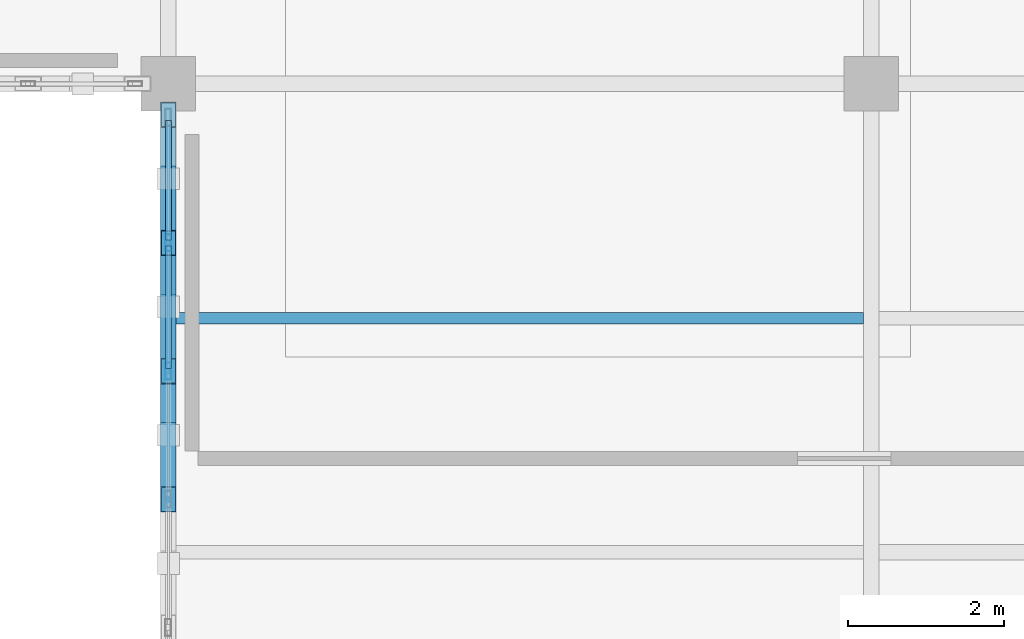
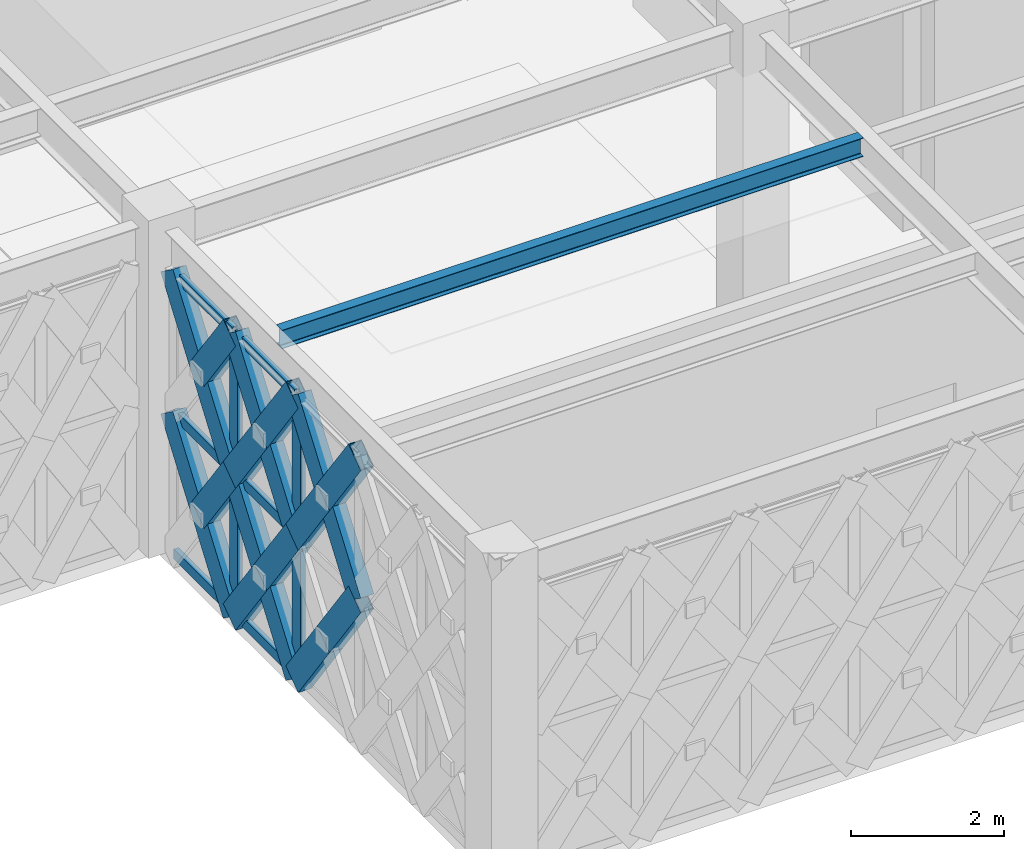
# One storey, part 3 of 72: 23 members, 1 beam, 1 element without a shape of its own.
"""IFC4 building model written with IfcOpenShell, lengths in metres."""

import ifcopenshell
import ifcopenshell.guid

model = None  # the IFC model being written
_history = None  # IfcOwnerHistory: only IFC2X3 demands one
_inside = {}  # id of a spatial element -> (the spatial element, [elements in it])
_under = {}  # id of a project, library or spatial element -> (it, [spatial elements below it])
_declared = {}  # id of a project -> (the project, [libraries it declares])
_typed = {}  # id of a type object -> (the type object, [elements of that type])
_made_of = {}  # id of a material, layer set ... -> (it, [elements and type objects made of it])


def new_model(schema):
    """Start an empty IFC model of exactly this schema.

    Asked for "IFC4X3", IfcOpenShell would pick the latest addendum, in which some entities
    have other attributes; the version numbers below select the first issue.
    IFC2X3 requires an IfcOwnerHistory on every rooted entity: one is made here for all.
    """
    global model, _history
    if schema == "IFC4X3":
        model = ifcopenshell.file(schema_version=(4, 3, 0, 0))
    else:
        model = ifcopenshell.file(schema=schema)
    _inside.clear()
    _under.clear()
    _declared.clear()
    _typed.clear()
    _made_of.clear()
    _history = None
    if model.schema == "IFC2X3":
        org = make("IfcOrganization", Name="unknown")
        user = make(
            "IfcPersonAndOrganization",
            ThePerson=make("IfcPerson", FamilyName="unknown"),
            TheOrganization=org,
        )
        app = make(
            "IfcApplication",
            ApplicationDeveloper=org,
            Version="unknown",
            ApplicationFullName="unknown",
            ApplicationIdentifier="unknown",
        )
        _history = make(
            "IfcOwnerHistory",
            OwningUser=user,
            OwningApplication=app,
            ChangeAction="ADDED",
            CreationDate=0,
        )
    return model


def make(cls, **values):
    """One entity of the class cls with the attributes given. An attribute that is None is left unset."""
    return model.create_entity(
        cls, **{name: value for name, value in values.items() if value is not None}
    )


def rooted(cls, **values):
    """An entity with a GlobalId (a new one), such as an element, a storey or a relation."""
    return make(cls, GlobalId=ifcopenshell.guid.new(), OwnerHistory=_history, **values)


def si_unit(unit_type, name, prefix=None):
    """IfcSIUnit, for example si_unit("LENGTHUNIT", "METRE", prefix="MILLI")."""
    return make("IfcSIUnit", UnitType=unit_type, Prefix=prefix, Name=name)


def assignment(units):
    """IfcUnitAssignment: the units of a project."""
    return None if units is None else make("IfcUnitAssignment", Units=units)


def point(xyz):
    """IfcCartesianPoint."""
    return None if xyz is None else make("IfcCartesianPoint", Coordinates=xyz)


def direction(xyz):
    """IfcDirection."""
    return None if xyz is None else make("IfcDirection", DirectionRatios=xyz)


def frame(location, z_axis=None, x_axis=None):
    """IfcAxis2Placement3D, a coordinate frame: its origin and axes. An axis left out is left unset."""
    return make(
        "IfcAxis2Placement3D",
        Location=point(location),
        Axis=direction(z_axis),
        RefDirection=direction(x_axis),
    )


def frame_2d(location, x_axis=None):
    """IfcAxis2Placement2D, a coordinate frame in the plane: its origin and x axis."""
    return make(
        "IfcAxis2Placement2D", Location=point(location), RefDirection=direction(x_axis)
    )


def origin():
    """The frame at (0, 0, 0) with its axes left unset."""
    return frame((0.0, 0.0, 0.0))


def origin_2d():
    """The frame at (0, 0) in the plane with its x axis left unset."""
    return frame_2d((0.0, 0.0))


def place(relative_to, where):
    """IfcLocalPlacement: puts the frame where relative to a parent placement (None: the world)."""
    return make(
        "IfcLocalPlacement", PlacementRelTo=relative_to, RelativePlacement=where
    )


def context(
    kind, dimensions, precision=None, world=None, true_north=None, identifier=None
):
    """IfcGeometricRepresentationContext, for example the 3D "Model" context."""
    return make(
        "IfcGeometricRepresentationContext",
        ContextIdentifier=identifier,
        ContextType=kind,
        CoordinateSpaceDimension=dimensions,
        Precision=precision,
        WorldCoordinateSystem=world,
        TrueNorth=true_north,
    )


def subcontext(parent, identifier, kind, view, scale=None):
    """IfcGeometricRepresentationSubContext, for example "Body" below "Model"."""
    return make(
        "IfcGeometricRepresentationSubContext",
        ContextIdentifier=identifier,
        ContextType=kind,
        ParentContext=parent,
        TargetScale=scale,
        TargetView=view,
    )


def project(units=None, contexts=None):
    """IfcProject with its units and contexts."""
    return rooted(
        "IfcProject",
        Name="project",
        RepresentationContexts=contexts,
        UnitsInContext=assignment(units),
    )


def spatial(cls, under=None, at=None, **own):
    """A site, building, storey or space (cls), placed at a placement, below another one or the project."""
    s = rooted(cls, ObjectPlacement=at, **own)
    if under is not None:
        _under.setdefault(under.id(), (under, []))[1].append(s)
    return s


def profile(cls, at=None, kind="AREA", **sizes):
    """A parametric profile (cls). Its sizes go by their IFC names, for example OverallWidth=200.0."""
    return make(cls, ProfileType=kind, Position=at, **sizes)


def hollow_rectangle(**sizes):
    """IfcRectangleHollowProfileDef."""
    return profile("IfcRectangleHollowProfileDef", **sizes)


def i_section(**sizes):
    """IfcIShapeProfileDef."""
    return profile("IfcIShapeProfileDef", **sizes)


def extrude(swept, where, along, depth):
    """IfcExtrudedAreaSolid: the profile swept, set in the frame where, extruded along a direction by depth."""
    return make(
        "IfcExtrudedAreaSolid",
        SweptArea=swept,
        Position=where,
        ExtrudedDirection=direction(along),
        Depth=depth,
    )


def shape(context_of_items, identifier, shape_type, items):
    """IfcShapeRepresentation: the items that make up one representation, for example the "Body"."""
    return make(
        "IfcShapeRepresentation",
        ContextOfItems=context_of_items,
        RepresentationIdentifier=identifier,
        RepresentationType=shape_type,
        Items=items,
    )


def material(Name=None, Category=None):
    """IfcMaterial."""
    return make("IfcMaterial", Name=Name, Category=Category)


def material_profile(
    of_material, cross_section, Name=None, Category=None, Priority=None
):
    """IfcMaterialProfile: a cross section and its material."""
    return make(
        "IfcMaterialProfile",
        Name=Name,
        Material=of_material,
        Profile=cross_section,
        Priority=Priority,
        Category=Category,
    )


def profile_set(profiles, Name=None, composite=None):
    """IfcMaterialProfileSet."""
    return make(
        "IfcMaterialProfileSet",
        Name=Name,
        MaterialProfiles=profiles,
        CompositeProfile=composite,
    )


def made_of(thing, what):
    """Note that an element or type object is made of a material, layer set ...; save() writes the relation."""
    if what is not None:
        _made_of.setdefault(what.id(), (what, []))[1].append(thing)
    return thing


def type_object(cls, material=None, **own):
    """A type object (cls), such as IfcWallType, which elements share."""
    return made_of(rooted(cls, **own), material)


def element(
    cls,
    number,
    at=None,
    inside=None,
    cuts=None,
    type_object=None,
    material=None,
    context=None,
    identifier="Body",
    shape_type=None,
    held_by="IfcProductDefinitionShape",
    body=None,
    shapes=None,
    **own,
):
    """One element of the class cls, such as IfcWall. Its Tag is "e" and its number.

    at: its placement. inside: the storey or other place that contains it. cuts: it is an
    opening in that element (IfcRelVoidsElement). A single representation is given by context,
    identifier, shape_type and body (its items); several are given by shapes. held_by: the class
    of the entity that holds the representations. save() writes the other relations.
    """
    e = rooted(cls, Tag="e%d" % number, ObjectPlacement=at, **own)
    if body is not None:
        shapes = [shape(context, identifier, shape_type, body)]
    if shapes is not None:
        e.Representation = make(held_by, Representations=shapes)
    if inside is not None:
        _inside.setdefault(inside.id(), (inside, []))[1].append(e)
    if cuts is not None:
        rooted(
            "IfcRelVoidsElement", RelatingBuildingElement=cuts, RelatedOpeningElement=e
        )
    if type_object is not None:
        _typed.setdefault(type_object.id(), (type_object, []))[1].append(e)
    return made_of(e, material)


def aggregate(whole, parts):
    """IfcRelAggregates: a whole, such as a stair, and the parts it consists of."""
    return rooted("IfcRelAggregates", RelatingObject=whole, RelatedObjects=parts)


def save(model, path):
    """Write the relations noted so far, then the file.

    IfcRelAggregates (storeys below a building ...), IfcRelContainedInSpatialStructure (elements
    in a storey), IfcRelDefinesByType, IfcRelAssociatesMaterial and IfcRelDeclares: one each for
    every whole, place, type object, material and project.
    """
    for whole, parts in _under.values():
        aggregate(whole, parts)
    for where, things in _inside.values():
        rooted(
            "IfcRelContainedInSpatialStructure",
            RelatedElements=things,
            RelatingStructure=where,
        )
    for kind, things in _typed.values():
        rooted("IfcRelDefinesByType", RelatedObjects=things, RelatingType=kind)
    for what, things in _made_of.values():
        rooted("IfcRelAssociatesMaterial", RelatedObjects=things, RelatingMaterial=what)
    for by, libraries in _declared.values():
        rooted("IfcRelDeclares", RelatingContext=by, RelatedDefinitions=libraries)
    model.write(path)


model = new_model("IFC4")

# Units and contexts
model_context = context("Model", 3, precision=1e-05, world=origin(), true_north=direction((0.0, 1.0)))
body_context = subcontext(model_context, "Body", "Model", "MODEL_VIEW")
ifc_project = project(units=[si_unit("LENGTHUNIT", "METRE"), si_unit("AREAUNIT", "SQUARE_METRE"), si_unit("VOLUMEUNIT", "CUBIC_METRE"), si_unit("PLANEANGLEUNIT", "RADIAN"), si_unit("MASSUNIT", "GRAM", prefix="KILO")], contexts=[model_context])

# Site, building, storey
site_placement = place(None, origin())
site = spatial("IfcSite", under=ifc_project, at=site_placement, CompositionType="ELEMENT")
building_placement = place(site_placement, origin())
building = spatial("IfcBuilding", under=site, at=building_placement, Name="Haizhuo Lancet Aquarium", CompositionType="ELEMENT")
storey_placement = place(building_placement, frame((0.0, 0.0, 21.60009765625)))
storey = spatial("IfcBuildingStorey", under=building, at=storey_placement, Name="L04", CompositionType="ELEMENT", Elevation=21.60009765625)

# Curtain wall, members
ifc_material_1 = material(Name="Aluminium 6063-T6", Category="aluminium")
curtain_wall_type = type_object("IfcCurtainWallType", Name="CWD-8210x4550", PredefinedType="NOTDEFINED", material=ifc_material_1)
curtain_wall_placement = place(storey_placement, origin())
curtain_wall = element("IfcCurtainWall", 1, at=curtain_wall_placement, inside=storey, type_object=curtain_wall_type, Name="L04 curtain wall CW-V6-L04-257", PredefinedType="NOTDEFINED")
ifc_material_profile_1 = material_profile(ifc_material_1, hollow_rectangle(XDim=0.074951171875, YDim=0.219970703125, WallThickness=0.0048828125, at=origin_2d()), Name="ALU-M 75x220x5")
ifc_profile_set_1 = profile_set([ifc_material_profile_1], Name="Aluminium 6063-T6")
member_type_1 = type_object("IfcMemberType", Name="CW-MUL-2", PredefinedType="MULLION", material=ifc_profile_set_1)
member_1_placement = place(storey_placement, frame((-72.0, -21.678955078125, 0.0), z_axis=(0.0, 0.0, 1.0), x_axis=(-1.0, 0.0, 0.0)))
member_1 = element("IfcMember", 2, at=member_1_placement, type_object=member_type_1, Name="CWD-82x45 mullion 4", PredefinedType="MULLION", context=body_context, shape_type="SweptSolid", body=[
    extrude(hollow_rectangle(XDim=0.074951171875, YDim=0.219970703125, WallThickness=0.0048828125, at=origin_2d()), origin(), (0.0, 0.0, 1.0), 4.5498046875),
])
member_2_placement = place(storey_placement, frame((-72.0, -20.037109375, 0.0), z_axis=(0.0, 0.0, 1.0), x_axis=(-1.0, 0.0, 0.0)))
member_2 = element("IfcMember", 3, at=member_2_placement, type_object=member_type_1, Name="CWD-82x45 mullion 5", PredefinedType="MULLION", context=body_context, shape_type="SweptSolid", body=[
    extrude(hollow_rectangle(XDim=0.074951171875, YDim=0.219970703125, WallThickness=0.0048828125, at=origin_2d()), origin(), (0.0, 0.0, 1.0), 4.5498046875),
])
ifc_material_profile_2 = material_profile(ifc_material_1, hollow_rectangle(XDim=0.074951171875, YDim=0.159912109375, WallThickness=0.00390625, at=origin_2d()), Name="ALU-T 75x160x4")
ifc_profile_set_2 = profile_set([ifc_material_profile_2], Name="Aluminium 6063-T6")
member_type_2 = type_object("IfcMemberType", Name="CW-TRN-2", PredefinedType="NOTDEFINED", material=ifc_profile_set_2)
member_3_placement = place(storey_placement, frame((-72.0, -21.64208984375, 0.037841796875), z_axis=(0.0, 1.0, 0.0), x_axis=(-1.0, 0.0, 0.0)))
member_3 = element("IfcMember", 4, at=member_3_placement, type_object=member_type_2, Name="CWD-82x45 transom 4.1", ObjectType="TRANSOM", PredefinedType="USERDEFINED", context=body_context, shape_type="SweptSolid", body=[
    extrude(hollow_rectangle(XDim=0.074951171875, YDim=0.159912109375, WallThickness=0.00390625, at=origin_2d()), origin(), (0.0, 0.0, 1.0), 1.567138671875),
])
member_4_placement = place(storey_placement, frame((-72.0, -21.64208984375, 2.27490234375), z_axis=(0.0, 1.0, 0.0), x_axis=(-1.0, 0.0, 0.0)))
member_4 = element("IfcMember", 5, at=member_4_placement, type_object=member_type_2, Name="CWD-82x45 transom 4.2", ObjectType="TRANSOM", PredefinedType="USERDEFINED", context=body_context, shape_type="SweptSolid", body=[
    extrude(hollow_rectangle(XDim=0.074951171875, YDim=0.159912109375, WallThickness=0.00390625, at=origin_2d()), origin(), (0.0, 0.0, 1.0), 1.567138671875),
])
member_5_placement = place(storey_placement, frame((-72.0, -21.64208984375, 4.511962890625), z_axis=(0.0, 1.0, 0.0), x_axis=(-1.0, 0.0, 0.0)))
member_5 = element("IfcMember", 6, at=member_5_placement, type_object=member_type_2, Name="CWD-82x45 transom 4.3", ObjectType="TRANSOM", PredefinedType="USERDEFINED", context=body_context, shape_type="SweptSolid", body=[
    extrude(hollow_rectangle(XDim=0.074951171875, YDim=0.159912109375, WallThickness=0.00390625, at=origin_2d()), origin(), (0.0, 0.0, 1.0), 1.567138671875),
])
member_6_placement = place(storey_placement, frame((-72.0, -20.0, 0.037841796875), z_axis=(0.0, 1.0, 0.0), x_axis=(-1.0, 0.0, 0.0)))
member_6 = element("IfcMember", 7, at=member_6_placement, type_object=member_type_2, Name="CWD-82x45 transom 5.1", ObjectType="TRANSOM", PredefinedType="USERDEFINED", context=body_context, shape_type="SweptSolid", body=[
    extrude(hollow_rectangle(XDim=0.074951171875, YDim=0.159912109375, WallThickness=0.00390625, at=origin_2d()), origin(), (0.0, 0.0, 1.0), 1.530029296875),
])
member_7_placement = place(storey_placement, frame((-72.0, -20.0, 2.27490234375), z_axis=(0.0, 1.0, 0.0), x_axis=(-1.0, 0.0, 0.0)))
member_7 = element("IfcMember", 8, at=member_7_placement, type_object=member_type_2, Name="CWD-82x45 transom 5.2", ObjectType="TRANSOM", PredefinedType="USERDEFINED", context=body_context, shape_type="SweptSolid", body=[
    extrude(hollow_rectangle(XDim=0.074951171875, YDim=0.159912109375, WallThickness=0.00390625, at=origin_2d()), origin(), (0.0, 0.0, 1.0), 1.530029296875),
])
member_8_placement = place(storey_placement, frame((-72.0, -20.0, 4.511962890625), z_axis=(0.0, 1.0, 0.0), x_axis=(-1.0, 0.0, 0.0)))
member_8 = element("IfcMember", 9, at=member_8_placement, type_object=member_type_2, Name="CWD-82x45 transom 5.3", ObjectType="TRANSOM", PredefinedType="USERDEFINED", context=body_context, shape_type="SweptSolid", body=[
    extrude(hollow_rectangle(XDim=0.074951171875, YDim=0.159912109375, WallThickness=0.00390625, at=origin_2d()), origin(), (0.0, 0.0, 1.0), 1.530029296875),
])
aggregate(curtain_wall, [member_1, member_2, member_3, member_4, member_5, member_6, member_7, member_8])

# Beam
ifc_material_2 = material(Name="Steel S355", Category="steel")
ifc_material_profile_3 = material_profile(ifc_material_2, i_section(OverallWidth=0.14990234375, OverallDepth=0.300048828125, WebThickness=0.006591796875, FlangeThickness=0.009033203125, FilletRadius=0.012939453125, at=origin_2d()), Name="HN 300x150x6.5x9")
ifc_profile_set_3 = profile_set([ifc_material_profile_3], Name="Steel S355")
beam_type = type_object("IfcBeamType", Name="JST-ST-HN300", PredefinedType="JOIST", material=ifc_profile_set_3)
beam_placement = place(storey_placement, frame((-71.89990234375, -21.0, 5.0), z_axis=(1.0, 0.0, 0.0), x_axis=(0.0, 1.0, 0.0)))
element("IfcBeam", 10, at=beam_placement, inside=storey, type_object=beam_type, Name="L04 V6 secondary floor joist 4", PredefinedType="JOIST", context=body_context, shape_type="SweptSolid", body=[
    extrude(i_section(OverallWidth=0.14990234375, OverallDepth=0.300048828125, WebThickness=0.006591796875, FlangeThickness=0.009033203125, FilletRadius=0.012939453125, at=origin_2d()), origin(), (0.0, 0.0, 1.0), 8.7998046875),
])

# Members
ifc_material_profile_4 = material_profile(ifc_material_2, hollow_rectangle(XDim=0.199951171875, YDim=0.39990234375, WallThickness=0.011962890625, at=origin_2d()), Name="RHS 200x400x12")
ifc_profile_set_4 = profile_set([ifc_material_profile_4], Name="Steel S355")
member_type_3 = type_object("IfcMemberType", Name="MEM-LB-RHS200x400", PredefinedType="BRACE", material=ifc_profile_set_4)
member_9_placement = place(storey_placement, frame((-72.0, -21.678955078125, 0.0), z_axis=(0.0, -0.585115697402, 0.810949826224), x_axis=(1.0, 0.0, 0.0)))
element("IfcMember", 11, at=member_9_placement, inside=storey, type_object=member_type_3, Name="Gothic lancet split diagonal brace CW-V6-L04-257 5B1", PredefinedType="BRACE", context=body_context, shape_type="SweptSolid", body=[
    extrude(hollow_rectangle(XDim=0.199951171875, YDim=0.39990234375, WallThickness=0.011962890625, at=origin_2d()), origin(), (0.0, 0.0, 1.0), 1.4033203125),
])
member_10_placement = place(storey_placement, frame((-72.0, -22.5, 1.137939453125), z_axis=(0.0, -0.585446060787, 0.810711360417), x_axis=(1.0, 0.0, 0.0)))
element("IfcMember", 12, at=member_10_placement, inside=storey, type_object=member_type_3, Name="Gothic lancet split diagonal brace CW-V6-L04-257 5B2", PredefinedType="BRACE", context=body_context, shape_type="SweptSolid", body=[
    extrude(hollow_rectangle(XDim=0.199951171875, YDim=0.39990234375, WallThickness=0.011962890625, at=origin_2d()), origin(), (0.0, 0.0, 1.0), 1.40234375),
])
member_11_placement = place(storey_placement, frame((-72.0, -23.321044921875, 2.27490234375), z_axis=(0.0, 0.585280844621, 0.810830643797), x_axis=(-1.0, 0.0, 0.0)))
element("IfcMember", 13, at=member_11_placement, inside=storey, type_object=member_type_3, Name="Gothic lancet continuous diagonal brace CW-V6-L04-257 6A", PredefinedType="BRACE", context=body_context, shape_type="SweptSolid", body=[
    extrude(hollow_rectangle(XDim=0.199951171875, YDim=0.39990234375, WallThickness=0.011962890625, at=origin_2d()), origin(), (0.0, 0.0, 1.0), 2.8056640625),
])
member_12_placement = place(storey_placement, frame((-72.0, -21.678955078125, 2.27490234375), z_axis=(0.0, -0.585446060787, 0.810711360417), x_axis=(1.0, 0.0, 0.0)))
element("IfcMember", 14, at=member_12_placement, inside=storey, type_object=member_type_3, Name="Gothic lancet split diagonal brace CW-V6-L04-257 6B1", PredefinedType="BRACE", context=body_context, shape_type="SweptSolid", body=[
    extrude(hollow_rectangle(XDim=0.199951171875, YDim=0.39990234375, WallThickness=0.011962890625, at=origin_2d()), origin(), (0.0, 0.0, 1.0), 1.40234375),
])
member_13_placement = place(storey_placement, frame((-72.0, -22.5, 3.411865234375), z_axis=(0.0, -0.585115697402, 0.810949826224), x_axis=(1.0, 0.0, 0.0)))
element("IfcMember", 15, at=member_13_placement, inside=storey, type_object=member_type_3, Name="Gothic lancet split diagonal brace CW-V6-L04-257 6B2", PredefinedType="BRACE", context=body_context, shape_type="SweptSolid", body=[
    extrude(hollow_rectangle(XDim=0.199951171875, YDim=0.39990234375, WallThickness=0.011962890625, at=origin_2d()), origin(), (0.0, 0.0, 1.0), 1.4033203125),
])
member_14_placement = place(storey_placement, frame((-72.0, -21.678955078125, 0.0), z_axis=(0.0, 0.585223630803, 0.810871939304), x_axis=(-1.0, 0.0, 0.0)))
element("IfcMember", 16, at=member_14_placement, inside=storey, type_object=member_type_3, Name="Gothic lancet continuous diagonal brace CW-V6-L04-257 7A", PredefinedType="BRACE", context=body_context, shape_type="SweptSolid", body=[
    extrude(hollow_rectangle(XDim=0.199951171875, YDim=0.39990234375, WallThickness=0.011962890625, at=origin_2d()), origin(), (0.0, 0.0, 1.0), 2.805419921875),
])
member_15_placement = place(storey_placement, frame((-72.0, -20.037109375, 0.0), z_axis=(0.0, -0.585001259689, 0.81103238293), x_axis=(1.0, 0.0, 0.0)))
element("IfcMember", 17, at=member_15_placement, inside=storey, type_object=member_type_3, Name="Gothic lancet split diagonal brace CW-V6-L04-257 7B1", PredefinedType="BRACE", context=body_context, shape_type="SweptSolid", body=[
    extrude(hollow_rectangle(XDim=0.199951171875, YDim=0.39990234375, WallThickness=0.011962890625, at=origin_2d()), origin(), (0.0, 0.0, 1.0), 1.403076171875),
])
member_16_placement = place(storey_placement, frame((-72.0, -20.85791015625, 1.137939453125), z_axis=(0.0, -0.585446060787, 0.810711360417), x_axis=(1.0, 0.0, 0.0)))
element("IfcMember", 18, at=member_16_placement, inside=storey, type_object=member_type_3, Name="Gothic lancet split diagonal brace CW-V6-L04-257 7B2", PredefinedType="BRACE", context=body_context, shape_type="SweptSolid", body=[
    extrude(hollow_rectangle(XDim=0.199951171875, YDim=0.39990234375, WallThickness=0.011962890625, at=origin_2d()), origin(), (0.0, 0.0, 1.0), 1.40234375),
])
member_17_placement = place(storey_placement, frame((-72.0, -21.678955078125, 2.27490234375), z_axis=(0.0, 0.585223630803, 0.810871939304), x_axis=(-1.0, 0.0, 0.0)))
element("IfcMember", 19, at=member_17_placement, inside=storey, type_object=member_type_3, Name="Gothic lancet continuous diagonal brace CW-V6-L04-257 8A", PredefinedType="BRACE", context=body_context, shape_type="SweptSolid", body=[
    extrude(hollow_rectangle(XDim=0.199951171875, YDim=0.39990234375, WallThickness=0.011962890625, at=origin_2d()), origin(), (0.0, 0.0, 1.0), 2.805419921875),
])
member_18_placement = place(storey_placement, frame((-72.0, -20.037109375, 2.27490234375), z_axis=(0.0, -0.585331625772, 0.810793986085), x_axis=(1.0, 0.0, 0.0)))
element("IfcMember", 20, at=member_18_placement, inside=storey, type_object=member_type_3, Name="Gothic lancet split diagonal brace CW-V6-L04-257 8B1", PredefinedType="BRACE", context=body_context, shape_type="SweptSolid", body=[
    extrude(hollow_rectangle(XDim=0.199951171875, YDim=0.39990234375, WallThickness=0.011962890625, at=origin_2d()), origin(), (0.0, 0.0, 1.0), 1.40234375),
])
member_19_placement = place(storey_placement, frame((-72.0, -20.85791015625, 3.411865234375), z_axis=(0.0, -0.585115697402, 0.810949826224), x_axis=(1.0, 0.0, 0.0)))
element("IfcMember", 21, at=member_19_placement, inside=storey, type_object=member_type_3, Name="Gothic lancet split diagonal brace CW-V6-L04-257 8B2", PredefinedType="BRACE", context=body_context, shape_type="SweptSolid", body=[
    extrude(hollow_rectangle(XDim=0.199951171875, YDim=0.39990234375, WallThickness=0.011962890625, at=origin_2d()), origin(), (0.0, 0.0, 1.0), 1.4033203125),
])
member_20_placement = place(storey_placement, frame((-72.0, -20.037109375, 0.0), z_axis=(0.0, 0.585280844621, 0.810830643797), x_axis=(-1.0, 0.0, 0.0)))
element("IfcMember", 22, at=member_20_placement, inside=storey, type_object=member_type_3, Name="Gothic lancet continuous diagonal brace CW-V6-L04-257 9A", PredefinedType="BRACE", context=body_context, shape_type="SweptSolid", body=[
    extrude(hollow_rectangle(XDim=0.199951171875, YDim=0.39990234375, WallThickness=0.011962890625, at=origin_2d()), origin(), (0.0, 0.0, 1.0), 2.8056640625),
])
member_21_placement = place(storey_placement, frame((-72.0, -19.216064453125, 1.137939453125), z_axis=(0.0, -0.585446060787, 0.810711360417), x_axis=(1.0, 0.0, 0.0)))
element("IfcMember", 23, at=member_21_placement, inside=storey, type_object=member_type_3, Name="Gothic lancet split diagonal brace CW-V6-L04-257 9B2", PredefinedType="BRACE", context=body_context, shape_type="SweptSolid", body=[
    extrude(hollow_rectangle(XDim=0.199951171875, YDim=0.39990234375, WallThickness=0.011962890625, at=origin_2d()), origin(), (0.0, 0.0, 1.0), 1.40234375),
])
member_22_placement = place(storey_placement, frame((-72.0, -20.037109375, 2.27490234375), z_axis=(0.0, 0.585280844621, 0.810830643797), x_axis=(-1.0, 0.0, 0.0)))
element("IfcMember", 24, at=member_22_placement, inside=storey, type_object=member_type_3, Name="Gothic lancet continuous diagonal brace CW-V6-L04-257 10A", PredefinedType="BRACE", context=body_context, shape_type="SweptSolid", body=[
    extrude(hollow_rectangle(XDim=0.199951171875, YDim=0.39990234375, WallThickness=0.011962890625, at=origin_2d()), origin(), (0.0, 0.0, 1.0), 2.8056640625),
])
member_23_placement = place(storey_placement, frame((-72.0, -19.216064453125, 3.411865234375), z_axis=(0.0, -0.585115697402, 0.810949826224), x_axis=(1.0, 0.0, 0.0)))
element("IfcMember", 25, at=member_23_placement, inside=storey, type_object=member_type_3, Name="Gothic lancet split diagonal brace CW-V6-L04-257 10B2", PredefinedType="BRACE", context=body_context, shape_type="SweptSolid", body=[
    extrude(hollow_rectangle(XDim=0.199951171875, YDim=0.39990234375, WallThickness=0.011962890625, at=origin_2d()), origin(), (0.0, 0.0, 1.0), 1.4033203125),
])

save(model, "model.ifc")
